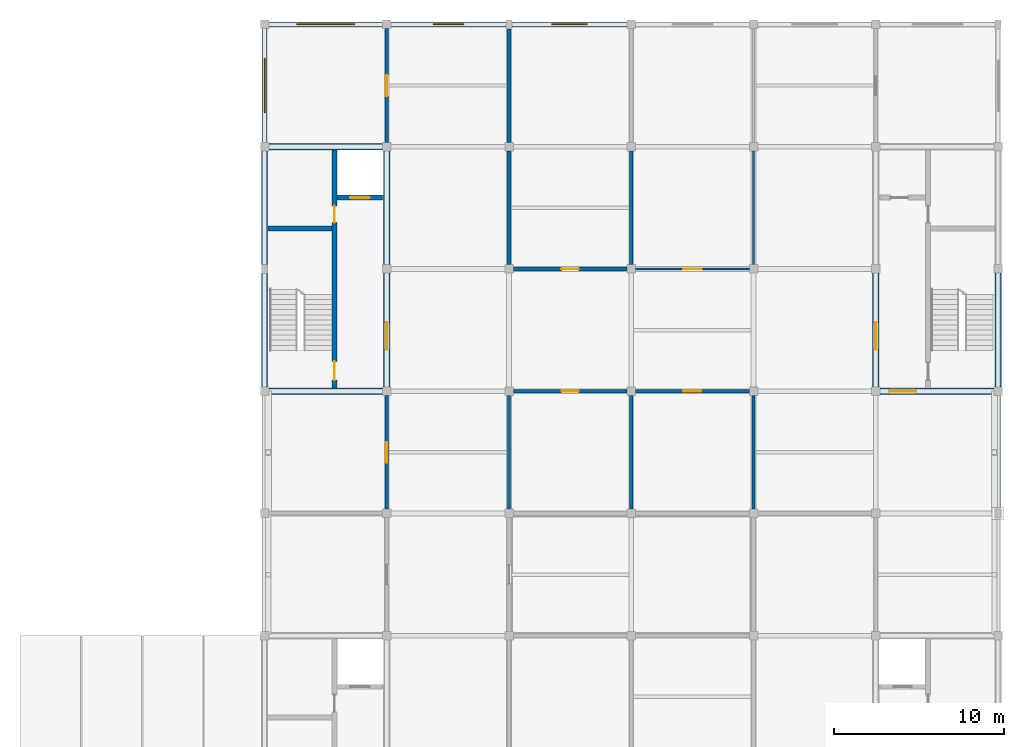
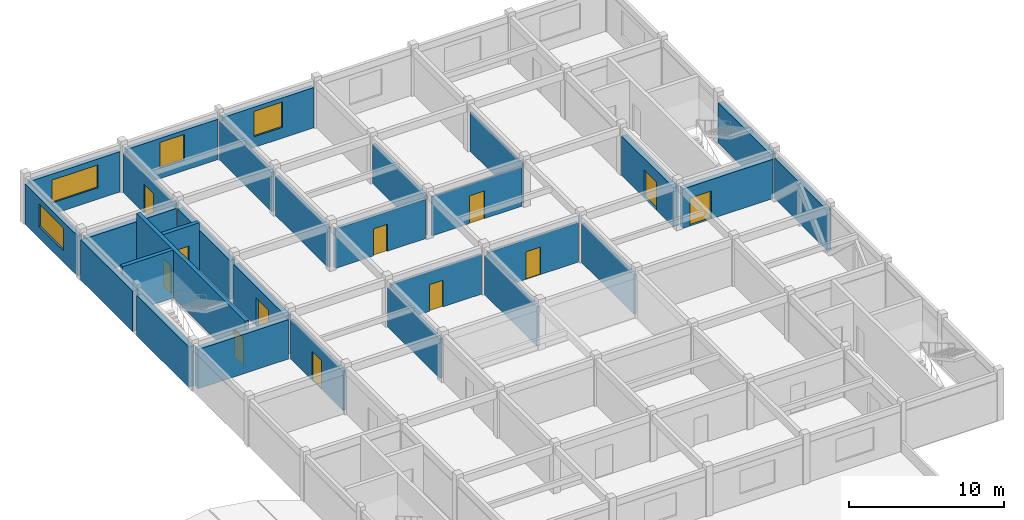
# One storey, part 4 of 6: 30 walls, 12 doors, 4 windows, 16 openings.
"""IFC4 building model written with IfcOpenShell, lengths in metres."""

from ifc_helpers import new_model, si_unit, direction, frame, frame_2d, origin, place, context, subcontext, project, spatial, rectangle, extrude, material, layer, layer_set, type_object, element, fill, save


model = new_model("IFC4")

# Units and contexts
model_context = context("Model", 3, precision=1e-05, world=origin(), true_north=direction((0.0, 1.0)))
body_context = subcontext(model_context, "Body", "Model", "MODEL_VIEW")
ifc_project = project(units=[si_unit("LENGTHUNIT", "METRE"), si_unit("AREAUNIT", "SQUARE_METRE"), si_unit("VOLUMEUNIT", "CUBIC_METRE"), si_unit("PLANEANGLEUNIT", "RADIAN"), si_unit("MASSUNIT", "GRAM", prefix="KILO")], contexts=[model_context])

# Site, building, storey
site_placement = place(None, origin())
site = spatial("IfcSite", under=ifc_project, at=site_placement, CompositionType="ELEMENT")
building_placement = place(site_placement, origin())
building = spatial("IfcBuilding", under=site, at=building_placement, Name="Cendaluz Park School", CompositionType="ELEMENT")
storey_placement = place(building_placement, frame((0.0, 0.0, 55.0)))
storey = spatial("IfcBuildingStorey", under=building, at=storey_placement, Name="L13", CompositionType="ELEMENT", Elevation=55.0)

# Wall, opening, door
ifc_material_1 = material(Name="Gypsum Plasterboard on Cold-Formed Stud", Category="gypsum")
ifc_layer_1 = layer(ifc_material_1, 0.199951171875)
ifc_layer_set_1 = layer_set([ifc_layer_1], Name="Gypsum Plasterboard on Cold-Formed Stud")
wall_type_1 = type_object("IfcWallType", Name="W-AC20", PredefinedType="PARTITIONING", material=ifc_layer_set_1)
wall_1_placement = place(storey_placement, frame((72.0, 36.25, 0.0), z_axis=(0.0, 0.0, 1.0), x_axis=(0.0, 1.0, 0.0)))
wall_1 = element("IfcWall", 1, at=wall_1_placement, inside=storey, type_object=wall_type_1, Name="WL-FN-BL1", PredefinedType="PARTITIONING", context=body_context, shape_type="SweptSolid", body=[
    extrude(rectangle(XDim=6.699951171875, YDim=0.199951171875, at=frame_2d((3.35009765625, 0.0))), origin(), (0.0, 0.0, 1.0), 3.090087890625),
])
opening_1_placement = place(wall_1_placement, frame((2.75, 0.0, 0.0)))
opening_1 = element("IfcOpeningElement", 2, at=opening_1_placement, cuts=wall_1, Name="Opening DCL-08", PredefinedType="OPENING", context=body_context, shape_type="SweptSolid", body=[
    extrude(rectangle(XDim=1.199951171875, YDim=2.239990234375, at=frame_2d((0.60009765625, 1.1201171875))), frame((0.0, 0.112060546875, 0.0), z_axis=(0.0, -1.0, 0.0), x_axis=(1.0, 0.0, 0.0)), (0.0, 0.0, 1.0), 0.223876953125),
])
ifc_material_2 = material(Name="Solid Core Hardwood", Category="wood")
door_type_1 = type_object("IfcDoorType", Name="DCL-08", OperationType="NOTDEFINED", PredefinedType="DOOR", material=ifc_material_2)
door_1_placement = place(opening_1_placement, origin())
door_1 = element("IfcDoor", 3, at=door_1_placement, inside=storey, type_object=door_type_1, Name="D-L13-021", OperationType="SINGLE_SWING_RIGHT", OverallHeight=2.239990234375, OverallWidth=1.199951171875, PredefinedType="DOOR", context=body_context, shape_type="SweptSolid", body=[
    extrude(rectangle(XDim=1.199951171875, YDim=2.239990234375, at=frame_2d((0.60009765625, 1.1201171875))), frame((0.0, 0.02490234375, 0.0), z_axis=(0.0, -1.0, 0.0), x_axis=(1.0, 0.0, 0.0)), (0.0, 0.0, 1.0), 0.050048828125),
])
fill(opening_1, door_1)

wall_2_placement = place(storey_placement, frame((72.0, 57.85009765625, 0.0), z_axis=(0.0, 0.0, 1.0), x_axis=(0.0, 1.0, 0.0)))
wall_2 = element("IfcWall", 4, at=wall_2_placement, inside=storey, type_object=wall_type_1, Name="WL-FN-BL2", PredefinedType="PARTITIONING", context=body_context, shape_type="SweptSolid", body=[
    extrude(rectangle(XDim=6.699951171875, YDim=0.199951171875, at=frame_2d((3.35009765625, 0.0))), origin(), (0.0, 0.0, 1.0), 3.090087890625),
])
opening_2_placement = place(wall_2_placement, frame((2.72998046875, 0.0, 0.0)))
opening_2 = element("IfcOpeningElement", 5, at=opening_2_placement, cuts=wall_2, Name="Opening DCL-09", PredefinedType="OPENING", context=body_context, shape_type="SweptSolid", body=[
    extrude(rectangle(XDim=1.239990234375, YDim=2.260009765625, at=frame_2d((0.6201171875, 1.1298828125))), frame((0.0, 0.112060546875, 0.0), z_axis=(0.0, -1.0, 0.0), x_axis=(1.0, 0.0, 0.0)), (0.0, 0.0, 1.0), 0.223876953125),
])
door_type_2 = type_object("IfcDoorType", Name="DCL-09", OperationType="NOTDEFINED", PredefinedType="DOOR", material=ifc_material_2)
door_2_placement = place(opening_2_placement, origin())
door_2 = element("IfcDoor", 6, at=door_2_placement, inside=storey, type_object=door_type_2, Name="D-L13-022", OperationType="SINGLE_SWING_LEFT", OverallHeight=2.260009765625, OverallWidth=1.239990234375, PredefinedType="DOOR", context=body_context, shape_type="SweptSolid", body=[
    extrude(rectangle(XDim=1.239990234375, YDim=2.260009765625, at=frame_2d((0.6201171875, 1.1298828125))), frame((0.0, 0.02490234375, 0.0), z_axis=(0.0, -1.0, 0.0), x_axis=(1.0, 0.0, 0.0)), (0.0, 0.0, 1.0), 0.050048828125),
])
fill(opening_2, door_2)

wall_3_placement = place(storey_placement, frame((79.449951171875, 43.199951171875, 0.0), z_axis=(0.0, 0.0, 1.0), x_axis=(1.0, 0.0, 0.0)))
wall_3 = element("IfcWall", 7, at=wall_3_placement, inside=storey, type_object=wall_type_1, Name="WL-FN-BL6", PredefinedType="PARTITIONING", context=body_context, shape_type="SweptSolid", body=[
    extrude(rectangle(XDim=6.699951171875, YDim=0.199951171875, at=frame_2d((3.35009765625, 0.0))), origin(), (0.0, 0.0, 1.0), 3.090087890625),
])
opening_3_placement = place(wall_3_placement, frame((2.85009765625, 0.0, 0.0)))
opening_3 = element("IfcOpeningElement", 8, at=opening_3_placement, cuts=wall_3, Name="Opening DCL-01", PredefinedType="OPENING", context=body_context, shape_type="SweptSolid", body=[
    extrude(rectangle(XDim=1.0, YDim=2.10009765625, at=frame_2d((0.5, 1.050048828125))), frame((0.0, 0.112060546875, 0.0), z_axis=(0.0, -1.0, 0.0), x_axis=(1.0, 0.0, 0.0)), (0.0, 0.0, 1.0), 0.223876953125),
])
door_type_3 = type_object("IfcDoorType", Name="DCL-01", OperationType="NOTDEFINED", PredefinedType="DOOR", material=ifc_material_2)
door_3_placement = place(opening_3_placement, frame((1.0, 0.0, 0.0), z_axis=(0.0, 0.0, 1.0), x_axis=(-1.0, 0.0, 0.0)))
door_3 = element("IfcDoor", 9, at=door_3_placement, inside=storey, type_object=door_type_3, Name="D-L13-024", OperationType="SINGLE_SWING_LEFT", OverallHeight=2.10009765625, OverallWidth=1.0, PredefinedType="DOOR", context=body_context, shape_type="SweptSolid", body=[
    extrude(rectangle(XDim=1.0, YDim=2.10009765625, at=frame_2d((0.5, 1.050048828125))), frame((0.0, 0.02490234375, 0.0), z_axis=(0.0, -1.0, 0.0), x_axis=(1.0, 0.0, 0.0)), (0.0, 0.0, 1.0), 0.050048828125),
])
fill(opening_3, door_3)

# Walls
for number, where, z_axis, x_axis, name in (
    (10, (79.199951171875, 36.25, 0.0), (0.0, 0.0, 1.0), (0.0, 1.0, 0.0), "WL-FN-BL7"),
    (11, (86.39990234375, 36.25, 0.0), (0.0, 0.0, 1.0), (0.0, 1.0, 0.0), "WL-FN-BL8"),
):
    element("IfcWall", number, at=place(storey_placement, frame(where, z_axis=z_axis, x_axis=x_axis)), inside=storey, type_object=wall_type_1, Name=name, PredefinedType="PARTITIONING", context=body_context, shape_type="SweptSolid", body=[
        extrude(rectangle(XDim=6.699951171875, YDim=0.199951171875, at=frame_2d((3.35009765625, 0.0))), origin(), (0.0, 0.0, 1.0), 3.090087890625),
    ])

# Wall, opening, door
wall_4_placement = place(storey_placement, frame((86.64990234375, 43.199951171875, 0.0), z_axis=(0.0, 0.0, 1.0), x_axis=(1.0, 0.0, 0.0)))
wall_4 = element("IfcWall", 12, at=wall_4_placement, inside=storey, type_object=wall_type_1, Name="WL-FN-BM5", PredefinedType="PARTITIONING", context=body_context, shape_type="SweptSolid", body=[
    extrude(rectangle(XDim=6.7001953125, YDim=0.199951171875, at=frame_2d((3.35009765625, 0.0))), origin(), (0.0, 0.0, 1.0), 3.090087890625),
])
opening_4_placement = place(wall_4_placement, frame((2.820068359375, 0.0, 0.0)))
opening_4 = element("IfcOpeningElement", 13, at=opening_4_placement, cuts=wall_4, Name="Opening DCL-04", PredefinedType="OPENING", context=body_context, shape_type="SweptSolid", body=[
    extrude(rectangle(XDim=1.06005859375, YDim=2.159912109375, at=frame_2d((0.530029296875, 1.080078125))), frame((0.0, 0.112060546875, 0.0), z_axis=(0.0, -1.0, 0.0), x_axis=(1.0, 0.0, 0.0)), (0.0, 0.0, 1.0), 0.223876953125),
])
door_type_4 = type_object("IfcDoorType", Name="DCL-04", OperationType="NOTDEFINED", PredefinedType="DOOR", material=ifc_material_2)
door_4_placement = place(opening_4_placement, frame((1.06005859375, 0.0, 0.0), z_axis=(0.0, 0.0, 1.0), x_axis=(-1.0, 0.0, 0.0)))
door_4 = element("IfcDoor", 14, at=door_4_placement, inside=storey, type_object=door_type_4, Name="D-L13-027", OperationType="SINGLE_SWING_RIGHT", OverallHeight=2.159912109375, OverallWidth=1.06005859375, PredefinedType="DOOR", context=body_context, shape_type="SweptSolid", body=[
    extrude(rectangle(XDim=1.06005859375, YDim=2.159912109375, at=frame_2d((0.530029296875, 1.080078125))), frame((0.0, 0.02490234375, 0.0), z_axis=(0.0, -1.0, 0.0), x_axis=(1.0, 0.0, 0.0)), (0.0, 0.0, 1.0), 0.050048828125),
])
fill(opening_4, door_4)

# Wall
wall_5_placement = place(storey_placement, frame((93.60009765625, 36.25, 0.0), z_axis=(0.0, 0.0, 1.0), x_axis=(0.0, 1.0, 0.0)))
element("IfcWall", 15, at=wall_5_placement, inside=storey, type_object=wall_type_1, Name="WL-FN-BM6", PredefinedType="PARTITIONING", context=body_context, shape_type="SweptSolid", body=[
    extrude(rectangle(XDim=6.699951171875, YDim=0.199951171875, at=frame_2d((3.35009765625, 0.0))), origin(), (0.0, 0.0, 1.0), 3.090087890625),
])

# Wall, opening, window
ifc_material_3 = material(Name="Cross-laminated timber CLT C24", Category="wood")
ifc_layer_2 = layer(ifc_material_3, 0.300048828125)
ifc_layer_set_2 = layer_set([ifc_layer_2], Name="Cross-laminated timber CLT C24")
wall_type_2 = type_object("IfcWallType", Name="W-EX30", PredefinedType="SOLIDWALL", material=ifc_layer_set_2)
wall_6_placement = place(storey_placement, frame((65.050048828125, 64.800048828125, 0.0), z_axis=(0.0, 0.0, 1.0), x_axis=(1.0, 0.0, 0.0)))
wall_6 = element("IfcWall", 16, at=wall_6_placement, inside=storey, type_object=wall_type_2, Name="WL-FN-AA2", PredefinedType="SOLIDWALL", context=body_context, shape_type="SweptSolid", body=[
    extrude(rectangle(XDim=6.699951171875, YDim=0.300048828125, at=frame_2d((3.35009765625, 0.0))), origin(), (0.0, 0.0, 1.0), 3.169921875),
])
opening_5_placement = place(wall_6_placement, frame((1.64990234375, 0.0, 0.89990234375)))
opening_5 = element("IfcOpeningElement", 17, at=opening_5_placement, cuts=wall_6, Name="Opening WN-09", PredefinedType="OPENING", context=body_context, shape_type="SweptSolid", body=[
    extrude(rectangle(XDim=3.39990234375, YDim=1.800048828125, at=frame_2d((1.699951171875, 0.89990234375))), frame((0.0, 0.162109375, 0.0), z_axis=(0.0, -1.0, 0.0), x_axis=(1.0, 0.0, 0.0)), (0.0, 0.0, 1.0), 0.323974609375),
])
ifc_material_4 = material(Name="Tempered Low-E Double Glazing", Category="glass")
window_type_1 = type_object("IfcWindowType", Name="WN-09", PartitioningType="SINGLE_PANEL", PredefinedType="WINDOW", material=ifc_material_4)
window_1_placement = place(opening_5_placement, origin())
window_1 = element("IfcWindow", 18, at=window_1_placement, inside=storey, type_object=window_type_1, Name="WN-L13-001", OverallHeight=1.800048828125, OverallWidth=3.39990234375, PartitioningType="SINGLE_PANEL", PredefinedType="WINDOW", context=body_context, shape_type="SweptSolid", body=[
    extrude(rectangle(XDim=3.39990234375, YDim=1.800048828125, at=frame_2d((1.699951171875, 0.89990234375))), frame((0.0, 0.030029296875, 0.0), z_axis=(0.0, -1.0, 0.0), x_axis=(1.0, 0.0, 0.0)), (0.0, 0.0, 1.0), 0.06005859375),
])
fill(opening_5, window_1)

wall_7_placement = place(storey_placement, frame((64.800048828125, 57.85009765625, 0.0), z_axis=(0.0, 0.0, 1.0), x_axis=(0.0, 1.0, 0.0)))
wall_7 = element("IfcWall", 19, at=wall_7_placement, inside=storey, type_object=wall_type_2, Name="WL-FN-AA3", PredefinedType="SOLIDWALL", context=body_context, shape_type="SweptSolid", body=[
    extrude(rectangle(XDim=6.699951171875, YDim=0.300048828125, at=frame_2d((3.35009765625, 0.0))), origin(), (0.0, 0.0, 1.0), 3.169921875),
])
opening_6_placement = place(wall_7_placement, frame((1.75, 0.0, 0.89990234375)))
opening_6 = element("IfcOpeningElement", 20, at=opening_6_placement, cuts=wall_7, Name="Opening WN-08", PredefinedType="OPENING", context=body_context, shape_type="SweptSolid", body=[
    extrude(rectangle(XDim=3.199951171875, YDim=1.800048828125, at=frame_2d((1.60009765625, 0.89990234375))), frame((0.0, 0.162109375, 0.0), z_axis=(0.0, -1.0, 0.0), x_axis=(1.0, 0.0, 0.0)), (0.0, 0.0, 1.0), 0.323974609375),
])
window_type_2 = type_object("IfcWindowType", Name="WN-08", PartitioningType="SINGLE_PANEL", PredefinedType="WINDOW", material=ifc_material_4)
window_2_placement = place(opening_6_placement, origin())
window_2 = element("IfcWindow", 21, at=window_2_placement, inside=storey, type_object=window_type_2, Name="WN-L13-002", OverallHeight=1.800048828125, OverallWidth=3.199951171875, PartitioningType="SINGLE_PANEL", PredefinedType="WINDOW", context=body_context, shape_type="SweptSolid", body=[
    extrude(rectangle(XDim=3.199951171875, YDim=1.800048828125, at=frame_2d((1.60009765625, 0.89990234375))), frame((0.0, 0.030029296875, 0.0), z_axis=(0.0, -1.0, 0.0), x_axis=(1.0, 0.0, 0.0)), (0.0, 0.0, 1.0), 0.06005859375),
])
fill(opening_6, window_2)

wall_8_placement = place(storey_placement, frame((72.25, 64.800048828125, 0.0), z_axis=(0.0, 0.0, 1.0), x_axis=(1.0, 0.0, 0.0)))
wall_8 = element("IfcWall", 22, at=wall_8_placement, inside=storey, type_object=wall_type_2, Name="WL-FN-AA5", PredefinedType="SOLIDWALL", context=body_context, shape_type="SweptSolid", body=[
    extrude(rectangle(XDim=6.77001953125, YDim=0.300048828125, at=frame_2d((3.385009765625, 0.0))), origin(), (0.0, 0.0, 1.0), 3.169921875),
])
opening_7_placement = place(wall_8_placement, frame((2.485107421875, 0.0, 0.85009765625)))
opening_7 = element("IfcOpeningElement", 23, at=opening_7_placement, cuts=wall_8, Name="Opening WN-10", PredefinedType="OPENING", context=body_context, shape_type="SweptSolid", body=[
    extrude(rectangle(XDim=1.800048828125, YDim=2.0, at=frame_2d((0.89990234375, 1.0))), frame((0.0, 0.162109375, 0.0), z_axis=(0.0, -1.0, 0.0), x_axis=(1.0, 0.0, 0.0)), (0.0, 0.0, 1.0), 0.323974609375),
])
window_type_3 = type_object("IfcWindowType", Name="WN-10", PartitioningType="SINGLE_PANEL", PredefinedType="WINDOW", material=ifc_material_4)
window_3_placement = place(opening_7_placement, origin())
window_3 = element("IfcWindow", 24, at=window_3_placement, inside=storey, type_object=window_type_3, Name="WN-L13-004", OverallHeight=2.0, OverallWidth=1.800048828125, PartitioningType="SINGLE_PANEL", PredefinedType="WINDOW", context=body_context, shape_type="SweptSolid", body=[
    extrude(rectangle(XDim=1.800048828125, YDim=2.0, at=frame_2d((0.89990234375, 1.0))), frame((0.0, 0.030029296875, 0.0), z_axis=(0.0, -1.0, 0.0), x_axis=(1.0, 0.0, 0.0)), (0.0, 0.0, 1.0), 0.06005859375),
])
fill(opening_7, window_3)

wall_9_placement = place(storey_placement, frame((79.3798828125, 64.800048828125, 0.0), z_axis=(0.0, 0.0, 1.0), x_axis=(1.0, 0.0, 0.0)))
wall_9 = element("IfcWall", 25, at=wall_9_placement, inside=storey, type_object=wall_type_2, Name="WL-FN-AA7", PredefinedType="SOLIDWALL", context=body_context, shape_type="SweptSolid", body=[
    extrude(rectangle(XDim=6.77001953125, YDim=0.300048828125, at=frame_2d((3.385009765625, 0.0))), origin(), (0.0, 0.0, 1.0), 3.169921875),
])
opening_8_placement = place(wall_9_placement, frame((2.3349609375, 0.0, 0.85009765625)))
opening_8 = element("IfcOpeningElement", 26, at=opening_8_placement, cuts=wall_9, Name="Opening WN-11", PredefinedType="OPENING", context=body_context, shape_type="SweptSolid", body=[
    extrude(rectangle(XDim=2.10009765625, YDim=2.0, at=frame_2d((1.050048828125, 1.0))), frame((0.0, 0.162109375, 0.0), z_axis=(0.0, -1.0, 0.0), x_axis=(1.0, 0.0, 0.0)), (0.0, 0.0, 1.0), 0.323974609375),
])
window_type_4 = type_object("IfcWindowType", Name="WN-11", PartitioningType="SINGLE_PANEL", PredefinedType="WINDOW", material=ifc_material_4)
window_4_placement = place(opening_8_placement, origin())
window_4 = element("IfcWindow", 27, at=window_4_placement, inside=storey, type_object=window_type_4, Name="WN-L13-006", OverallHeight=2.0, OverallWidth=2.10009765625, PartitioningType="SINGLE_PANEL", PredefinedType="WINDOW", context=body_context, shape_type="SweptSolid", body=[
    extrude(rectangle(XDim=2.10009765625, YDim=2.0, at=frame_2d((1.050048828125, 1.0))), frame((0.0, 0.030029296875, 0.0), z_axis=(0.0, -1.0, 0.0), x_axis=(1.0, 0.0, 0.0)), (0.0, 0.0, 1.0), 0.06005859375),
])
fill(opening_8, window_4)

# Wall
wall_10_placement = place(storey_placement, frame((108.0, 36.260009765625, 0.0), z_axis=(0.0, 0.0, 1.0), x_axis=(0.0, 1.0, 0.0)))
element("IfcWall", 28, at=wall_10_placement, inside=storey, type_object=wall_type_2, Name="WL-FN-AB3", PredefinedType="SOLIDWALL", context=body_context, shape_type="SweptSolid", body=[
    extrude(rectangle(XDim=6.68994140625, YDim=0.300048828125, at=frame_2d((3.344970703125, 0.0))), origin(), (0.0, 0.0, 1.0), 3.169921875),
])

# Wall, openings, doors
ifc_material_5 = material(Name="Concrete C40/50", Category="concrete")
ifc_layer_3 = layer(ifc_material_5, 0.280029296875)
ifc_layer_set_3 = layer_set([ifc_layer_3], Name="Concrete C40/50")
wall_type_3 = type_object("IfcWallType", Name="W-FW28", PredefinedType="SHEAR", material=ifc_layer_set_3)
wall_11_placement = place(storey_placement, frame((68.919921875, 43.39990234375, 0.0), z_axis=(0.0, 0.0, 1.0), x_axis=(0.0, 1.0, 0.0)))
wall_11 = element("IfcWall", 29, at=wall_11_placement, inside=storey, type_object=wall_type_3, Name="WL-FN-BI7", PredefinedType="SHEAR", context=body_context, shape_type="SweptSolid", body=[
    extrude(rectangle(XDim=14.0, YDim=0.280029296875, at=frame_2d((7.0, 0.0))), origin(), (0.0, 0.0, 1.0), 3.77001953125),
])
opening_9_placement = place(wall_11_placement, frame((0.449951171875, 0.0, 0.0)))
opening_9 = element("IfcOpeningElement", 30, at=opening_9_placement, cuts=wall_11, Name="Opening DST-01", PredefinedType="OPENING", context=body_context, shape_type="SweptSolid", body=[
    extrude(rectangle(XDim=1.10009765625, YDim=2.14990234375, at=frame_2d((0.550048828125, 1.074951171875))), frame((0.0, 0.152099609375, 0.0), z_axis=(0.0, -1.0, 0.0), x_axis=(1.0, 0.0, 0.0)), (0.0, 0.0, 1.0), 0.303955078125),
])
opening_10_placement = place(wall_11_placement, frame((9.719970703125, 0.0, 0.0)))
opening_10 = element("IfcOpeningElement", 31, at=opening_10_placement, cuts=wall_11, Name="Opening DFC-01", PredefinedType="OPENING", context=body_context, shape_type="SweptSolid", body=[
    extrude(rectangle(XDim=1.0, YDim=2.14990234375, at=frame_2d((0.5, 1.074951171875))), frame((0.0, 0.152099609375, 0.0), z_axis=(0.0, -1.0, 0.0), x_axis=(1.0, 0.0, 0.0)), (0.0, 0.0, 1.0), 0.303955078125),
])
door_type_5 = type_object("IfcDoorType", Name="DFC-01", OperationType="NOTDEFINED", PredefinedType="DOOR", material=ifc_material_2)
door_5_placement = place(opening_10_placement, origin())
door_5 = element("IfcDoor", 32, at=door_5_placement, inside=storey, type_object=door_type_5, Name="D-L13-011", OperationType="SINGLE_SWING_LEFT", OverallHeight=2.14990234375, OverallWidth=1.0, PredefinedType="DOOR", context=body_context, shape_type="SweptSolid", body=[
    extrude(rectangle(XDim=1.0, YDim=2.14990234375, at=frame_2d((0.5, 1.074951171875))), frame((0.0, 0.02490234375, 0.0), z_axis=(0.0, -1.0, 0.0), x_axis=(1.0, 0.0, 0.0)), (0.0, 0.0, 1.0), 0.050048828125),
])
fill(opening_10, door_5)
door_type_6 = type_object("IfcDoorType", Name="DST-01", OperationType="NOTDEFINED", PredefinedType="DOOR", material=ifc_material_2)
door_6_placement = place(opening_9_placement, origin())
door_6 = element("IfcDoor", 33, at=door_6_placement, inside=storey, type_object=door_type_6, Name="D-L13-010", OperationType="SINGLE_SWING_LEFT", OverallHeight=2.14990234375, OverallWidth=1.10009765625, PredefinedType="DOOR", context=body_context, shape_type="SweptSolid", body=[
    extrude(rectangle(XDim=1.10009765625, YDim=2.14990234375, at=frame_2d((0.550048828125, 1.074951171875))), frame((0.0, 0.02490234375, 0.0), z_axis=(0.0, -1.0, 0.0), x_axis=(1.0, 0.0, 0.0)), (0.0, 0.0, 1.0), 0.050048828125),
])
fill(opening_9, door_6)

# Wall
wall_12_placement = place(storey_placement, frame((65.0, 52.780029296875, 0.0), z_axis=(0.0, 0.0, 1.0), x_axis=(1.0, 0.0, 0.0)))
element("IfcWall", 34, at=wall_12_placement, inside=storey, type_object=wall_type_3, Name="WL-FN-BI8", PredefinedType="SHEAR", context=body_context, shape_type="SweptSolid", body=[
    extrude(rectangle(XDim=3.780029296875, YDim=0.280029296875, at=frame_2d((1.89013671875, 0.0))), origin(), (0.0, 0.0, 1.0), 3.77001953125),
])

# Wall, opening, door
wall_13_placement = place(storey_placement, frame((69.080078125, 54.60009765625, 0.0), z_axis=(0.0, 0.0, 1.0), x_axis=(1.0, 0.0, 0.0)))
wall_13 = element("IfcWall", 35, at=wall_13_placement, inside=storey, type_object=wall_type_3, Name="WL-FN-BI9", PredefinedType="SHEAR", context=body_context, shape_type="SweptSolid", body=[
    extrude(rectangle(XDim=2.679931640625, YDim=0.280029296875, at=frame_2d((1.33984375, 0.0))), origin(), (0.0, 0.0, 1.0), 3.77001953125),
])
opening_11_placement = place(wall_13_placement, frame((0.764892578125, 0.0, 0.0)))
opening_11 = element("IfcOpeningElement", 36, at=opening_11_placement, cuts=wall_13, Name="Opening LD-01", PredefinedType="OPENING", context=body_context, shape_type="SweptSolid", body=[
    extrude(rectangle(XDim=1.14990234375, YDim=2.199951171875, at=frame_2d((0.574951171875, 1.10009765625))), frame((0.0, 0.152099609375, 0.0), z_axis=(0.0, -1.0, 0.0), x_axis=(1.0, 0.0, 0.0)), (0.0, 0.0, 1.0), 0.303955078125),
])
ifc_material_6 = material(Name="Stainless Steel 316L", Category="steel")
door_type_7 = type_object("IfcDoorType", Name="LD-01", OperationType="DOUBLE_DOOR_SLIDING", PredefinedType="DOOR", material=ifc_material_6)
door_7_placement = place(opening_11_placement, frame((1.14990234375, 0.0, 0.0), z_axis=(0.0, 0.0, 1.0), x_axis=(-1.0, 0.0, 0.0)))
door_7 = element("IfcDoor", 37, at=door_7_placement, inside=storey, type_object=door_type_7, Name="D-L13-012", OperationType="DOUBLE_DOOR_SLIDING", OverallHeight=2.199951171875, OverallWidth=1.14990234375, PredefinedType="DOOR", context=body_context, shape_type="SweptSolid", body=[
    extrude(rectangle(XDim=1.14990234375, YDim=2.199951171875, at=frame_2d((0.574951171875, 1.10009765625))), frame((0.0, 0.02490234375, 0.0), z_axis=(0.0, -1.0, 0.0), x_axis=(1.0, 0.0, 0.0)), (0.0, 0.0, 1.0), 0.050048828125),
])
fill(opening_11, door_7)

ifc_layer_4 = layer(ifc_material_1, 0.219970703125)
ifc_layer_set_4 = layer_set([ifc_layer_4], Name="Gypsum Plasterboard on Cold-Formed Stud")
wall_type_4 = type_object("IfcWallType", Name="W-LB22", PredefinedType="PARTITIONING", material=ifc_layer_set_4)
wall_14_placement = place(storey_placement, frame((79.449951171875, 50.39990234375, 0.0), z_axis=(0.0, 0.0, 1.0), x_axis=(1.0, 0.0, 0.0)))
wall_14 = element("IfcWall", 38, at=wall_14_placement, inside=storey, type_object=wall_type_4, Name="WL-FN-BL9", PredefinedType="PARTITIONING", context=body_context, shape_type="SweptSolid", body=[
    extrude(rectangle(XDim=6.699951171875, YDim=0.219970703125, at=frame_2d((3.35009765625, 0.0))), origin(), (0.0, 0.0, 1.0), 3.090087890625),
])
opening_12_placement = place(wall_14_placement, frame((2.840087890625, 0.0, 0.0)))
opening_12 = element("IfcOpeningElement", 39, at=opening_12_placement, cuts=wall_14, Name="Opening DCL-02", PredefinedType="OPENING", context=body_context, shape_type="SweptSolid", body=[
    extrude(rectangle(XDim=1.02001953125, YDim=2.1201171875, at=frame_2d((0.510009765625, 1.06005859375))), frame((0.0, 0.1220703125, 0.0), z_axis=(0.0, -1.0, 0.0), x_axis=(1.0, 0.0, 0.0)), (0.0, 0.0, 1.0), 0.243896484375),
])
door_type_8 = type_object("IfcDoorType", Name="DCL-02", OperationType="NOTDEFINED", PredefinedType="DOOR", material=ifc_material_2)
door_8_placement = place(opening_12_placement, frame((1.02001953125, 0.0, 0.0), z_axis=(0.0, 0.0, 1.0), x_axis=(-1.0, 0.0, 0.0)))
door_8 = element("IfcDoor", 40, at=door_8_placement, inside=storey, type_object=door_type_8, Name="D-L13-025", OperationType="SINGLE_SWING_RIGHT", OverallHeight=2.1201171875, OverallWidth=1.02001953125, PredefinedType="DOOR", context=body_context, shape_type="SweptSolid", body=[
    extrude(rectangle(XDim=1.02001953125, YDim=2.1201171875, at=frame_2d((0.510009765625, 1.06005859375))), frame((0.0, 0.02490234375, 0.0), z_axis=(0.0, -1.0, 0.0), x_axis=(1.0, 0.0, 0.0)), (0.0, 0.0, 1.0), 0.050048828125),
])
fill(opening_12, door_8)

# Walls
for number, where, z_axis, x_axis, name in (
    (41, (79.199951171875, 50.64990234375, 0.0), (0.0, 0.0, 1.0), (0.0, 1.0, 0.0), "WL-FN-BM0"),
    (42, (86.39990234375, 50.64990234375, 0.0), (0.0, 0.0, 1.0), (0.0, 1.0, 0.0), "WL-FN-BM1"),
):
    element("IfcWall", number, at=place(storey_placement, frame(where, z_axis=z_axis, x_axis=x_axis)), inside=storey, type_object=wall_type_4, Name=name, PredefinedType="PARTITIONING", context=body_context, shape_type="SweptSolid", body=[
        extrude(rectangle(XDim=6.7001953125, YDim=0.219970703125, at=frame_2d((3.35009765625, 0.0))), origin(), (0.0, 0.0, 1.0), 3.090087890625),
    ])
wall_15_placement = place(storey_placement, frame((79.199951171875, 57.85009765625, 0.0), z_axis=(0.0, 0.0, 1.0), x_axis=(0.0, 1.0, 0.0)))
element("IfcWall", 43, at=wall_15_placement, inside=storey, type_object=wall_type_4, Name="WL-FN-BM2", PredefinedType="PARTITIONING", context=body_context, shape_type="SweptSolid", body=[
    extrude(rectangle(XDim=6.68994140625, YDim=0.219970703125, at=frame_2d((3.344970703125, 0.0))), origin(), (0.0, 0.0, 1.0), 3.090087890625),
])

# Wall, opening, door
ifc_layer_5 = layer(ifc_material_1, 0.1201171875)
ifc_layer_set_5 = layer_set([ifc_layer_5], Name="Gypsum Plasterboard on Cold-Formed Stud")
wall_type_5 = type_object("IfcWallType", Name="W-MV12", PredefinedType="MOVABLE", material=ifc_layer_set_5)
wall_16_placement = place(storey_placement, frame((86.64990234375, 50.39990234375, 0.0), z_axis=(0.0, 0.0, 1.0), x_axis=(1.0, 0.0, 0.0)))
wall_16 = element("IfcWall", 44, at=wall_16_placement, inside=storey, type_object=wall_type_5, Name="WL-FN-BM7", PredefinedType="MOVABLE", context=body_context, shape_type="SweptSolid", body=[
    extrude(rectangle(XDim=6.7001953125, YDim=0.1201171875, at=frame_2d((3.35009765625, 0.0))), origin(), (0.0, 0.0, 1.0), 3.090087890625),
])
opening_13_placement = place(wall_16_placement, frame((2.81005859375, 0.0, 0.0)))
opening_13 = element("IfcOpeningElement", 45, at=opening_13_placement, cuts=wall_16, Name="Opening DCL-05", PredefinedType="OPENING", context=body_context, shape_type="SweptSolid", body=[
    extrude(rectangle(XDim=1.080078125, YDim=2.179931640625, at=frame_2d((0.5400390625, 1.08984375))), frame((0.0, 0.072021484375, 0.0), z_axis=(0.0, -1.0, 0.0), x_axis=(1.0, 0.0, 0.0)), (0.0, 0.0, 1.0), 0.14404296875),
])
door_type_9 = type_object("IfcDoorType", Name="DCL-05", OperationType="NOTDEFINED", PredefinedType="DOOR", material=ifc_material_2)
door_9_placement = place(opening_13_placement, origin())
door_9 = element("IfcDoor", 46, at=door_9_placement, inside=storey, type_object=door_type_9, Name="D-L13-028", OperationType="SINGLE_SWING_LEFT", OverallHeight=2.179931640625, OverallWidth=1.080078125, PredefinedType="DOOR", context=body_context, shape_type="SweptSolid", body=[
    extrude(rectangle(XDim=1.080078125, YDim=2.179931640625, at=frame_2d((0.5400390625, 1.08984375))), frame((0.0, 0.02490234375, 0.0), z_axis=(0.0, -1.0, 0.0), x_axis=(1.0, 0.0, 0.0)), (0.0, 0.0, 1.0), 0.050048828125),
])
fill(opening_13, door_9)

# Walls
wall_17_placement = place(storey_placement, frame((93.60009765625, 50.64990234375, 0.0), z_axis=(0.0, 0.0, 1.0), x_axis=(0.0, 1.0, 0.0)))
element("IfcWall", 47, at=wall_17_placement, inside=storey, type_object=wall_type_5, Name="WL-FN-BM8", PredefinedType="MOVABLE", context=body_context, shape_type="SweptSolid", body=[
    extrude(rectangle(XDim=6.7001953125, YDim=0.1201171875, at=frame_2d((3.35009765625, 0.0))), origin(), (0.0, 0.0, 1.0), 3.090087890625),
])
ifc_layer_6 = layer(ifc_material_5, 0.3798828125)
ifc_layer_set_6 = layer_set([ifc_layer_6], Name="Concrete C40/50")
wall_type_6 = type_object("IfcWallType", Name="W-SH38", PredefinedType="SHEAR", material=ifc_layer_set_6)
wall_18_placement = place(storey_placement, frame((64.800048828125, 43.449951171875, 0.0), z_axis=(0.0, 0.0, 1.0), x_axis=(0.0, 1.0, 0.0)))
element("IfcWall", 48, at=wall_18_placement, inside=storey, type_object=wall_type_6, Name="WL-FN-BI1", PredefinedType="SHEAR", context=body_context, shape_type="SweptSolid", body=[
    extrude(rectangle(XDim=6.68994140625, YDim=0.3798828125, at=frame_2d((3.344970703125, 0.0))), origin(), (0.0, 0.0, 1.0), 3.169921875),
])
wall_19_placement = place(storey_placement, frame((64.800048828125, 50.659912109375, 0.0), z_axis=(0.0, 0.0, 1.0), x_axis=(0.0, 1.0, 0.0)))
element("IfcWall", 49, at=wall_19_placement, inside=storey, type_object=wall_type_6, Name="WL-FN-BI2", PredefinedType="SHEAR", context=body_context, shape_type="SweptSolid", body=[
    extrude(rectangle(XDim=6.690185546875, YDim=0.3798828125, at=frame_2d((3.34521484375, 0.0))), origin(), (0.0, 0.0, 1.0), 3.169921875),
])

# Wall, opening, door
wall_20_placement = place(storey_placement, frame((72.0, 43.449951171875, 0.0), z_axis=(0.0, 0.0, 1.0), x_axis=(0.0, 1.0, 0.0)))
wall_20 = element("IfcWall", 50, at=wall_20_placement, inside=storey, type_object=wall_type_6, Name="WL-FN-BI3", PredefinedType="SHEAR", context=body_context, shape_type="SweptSolid", body=[
    extrude(rectangle(XDim=6.699951171875, YDim=0.3798828125, at=frame_2d((3.35009765625, 0.0))), origin(), (0.0, 0.0, 1.0), 3.090087890625),
])
opening_14_placement = place(wall_20_placement, frame((2.199951171875, 0.0, 0.0)))
opening_14 = element("IfcOpeningElement", 51, at=opening_14_placement, cuts=wall_20, Name="Opening DLB-01", PredefinedType="OPENING", context=body_context, shape_type="SweptSolid", body=[
    extrude(rectangle(XDim=1.60009765625, YDim=2.199951171875, at=frame_2d((0.800048828125, 1.10009765625))), frame((0.0, 0.201904296875, 0.0), z_axis=(0.0, -1.0, 0.0), x_axis=(1.0, 0.0, 0.0)), (0.0, 0.0, 1.0), 0.40380859375),
])
door_type_10 = type_object("IfcDoorType", Name="DLB-01", OperationType="DOUBLE_DOOR_SINGLE_SWING", PredefinedType="DOOR", material=ifc_material_2)
door_10_placement = place(opening_14_placement, origin())
door_10 = element("IfcDoor", 52, at=door_10_placement, inside=storey, type_object=door_type_10, Name="D-L13-009", OperationType="DOUBLE_DOOR_SINGLE_SWING", OverallHeight=2.199951171875, OverallWidth=1.60009765625, PredefinedType="DOOR", context=body_context, shape_type="SweptSolid", body=[
    extrude(rectangle(XDim=1.60009765625, YDim=2.199951171875, at=frame_2d((0.800048828125, 1.10009765625))), frame((0.0, 0.02490234375, 0.0), z_axis=(0.0, -1.0, 0.0), x_axis=(1.0, 0.0, 0.0)), (0.0, 0.0, 1.0), 0.050048828125),
])
fill(opening_14, door_10)

# Walls
wall_21_placement = place(storey_placement, frame((72.0, 50.64990234375, 0.0), z_axis=(0.0, 0.0, 1.0), x_axis=(0.0, 1.0, 0.0)))
element("IfcWall", 53, at=wall_21_placement, inside=storey, type_object=wall_type_6, Name="WL-FN-BI4", PredefinedType="SHEAR", context=body_context, shape_type="SweptSolid", body=[
    extrude(rectangle(XDim=6.7001953125, YDim=0.3798828125, at=frame_2d((3.35009765625, 0.0))), origin(), (0.0, 0.0, 1.0), 3.090087890625),
])
for number, where, z_axis, x_axis, name in (
    (54, (65.050048828125, 43.199951171875, 0.0), (0.0, 0.0, 1.0), (1.0, 0.0, 0.0), "WL-FN-BI5"),
    (55, (65.050048828125, 57.60009765625, 0.0), (0.0, 0.0, 1.0), (1.0, 0.0, 0.0), "WL-FN-BI6"),
):
    element("IfcWall", number, at=place(storey_placement, frame(where, z_axis=z_axis, x_axis=x_axis)), inside=storey, type_object=wall_type_6, Name=name, PredefinedType="SHEAR", context=body_context, shape_type="SweptSolid", body=[
        extrude(rectangle(XDim=6.699951171875, YDim=0.3798828125, at=frame_2d((3.35009765625, 0.0))), origin(), (0.0, 0.0, 1.0), 3.090087890625),
    ])

# Wall, opening, door
wall_22_placement = place(storey_placement, frame((100.800048828125, 43.449951171875, 0.0), z_axis=(0.0, 0.0, 1.0), x_axis=(0.0, 1.0, 0.0)))
wall_22 = element("IfcWall", 56, at=wall_22_placement, inside=storey, type_object=wall_type_6, Name="WL-FN-BJ0", PredefinedType="SHEAR", context=body_context, shape_type="SweptSolid", body=[
    extrude(rectangle(XDim=6.699951171875, YDim=0.3798828125, at=frame_2d((3.35009765625, 0.0))), origin(), (0.0, 0.0, 1.0), 3.090087890625),
])
opening_15_placement = place(wall_22_placement, frame((2.199951171875, 0.0, 0.0)))
opening_15 = element("IfcOpeningElement", 57, at=opening_15_placement, cuts=wall_22, Name="Opening DLB-01", PredefinedType="OPENING", context=body_context, shape_type="SweptSolid", body=[
    extrude(rectangle(XDim=1.60009765625, YDim=2.199951171875, at=frame_2d((0.800048828125, 1.10009765625))), frame((0.0, 0.201904296875, 0.0), z_axis=(0.0, -1.0, 0.0), x_axis=(1.0, 0.0, 0.0)), (0.0, 0.0, 1.0), 0.40380859375),
])
door_11_placement = place(opening_15_placement, frame((1.60009765625, 0.0, 0.0), z_axis=(0.0, 0.0, 1.0), x_axis=(-1.0, 0.0, 0.0)))
door_11 = element("IfcDoor", 58, at=door_11_placement, inside=storey, type_object=door_type_10, Name="D-L13-013", OperationType="DOUBLE_DOOR_SINGLE_SWING", OverallHeight=2.199951171875, OverallWidth=1.60009765625, PredefinedType="DOOR", context=body_context, shape_type="SweptSolid", body=[
    extrude(rectangle(XDim=1.60009765625, YDim=2.199951171875, at=frame_2d((0.800048828125, 1.10009765625))), frame((0.0, 0.02490234375, 0.0), z_axis=(0.0, -1.0, 0.0), x_axis=(1.0, 0.0, 0.0)), (0.0, 0.0, 1.0), 0.050048828125),
])
fill(opening_15, door_11)

# Wall
wall_23_placement = place(storey_placement, frame((108.0, 43.449951171875, 0.0), z_axis=(0.0, 0.0, 1.0), x_axis=(0.0, 1.0, 0.0)))
element("IfcWall", 59, at=wall_23_placement, inside=storey, type_object=wall_type_6, Name="WL-FN-BJ2", PredefinedType="SHEAR", context=body_context, shape_type="SweptSolid", body=[
    extrude(rectangle(XDim=6.699951171875, YDim=0.3798828125, at=frame_2d((3.35009765625, 0.0))), origin(), (0.0, 0.0, 1.0), 3.169921875),
])

# Wall, opening, door
wall_24_placement = place(storey_placement, frame((101.050048828125, 43.199951171875, 0.0), z_axis=(0.0, 0.0, 1.0), x_axis=(1.0, 0.0, 0.0)))
wall_24 = element("IfcWall", 60, at=wall_24_placement, inside=storey, type_object=wall_type_6, Name="WL-FN-BJ4", PredefinedType="SHEAR", context=body_context, shape_type="SweptSolid", body=[
    extrude(rectangle(XDim=6.699951171875, YDim=0.3798828125, at=frame_2d((3.35009765625, 0.0))), origin(), (0.0, 0.0, 1.0), 3.090087890625),
])
opening_16_placement = place(wall_24_placement, frame((0.530029296875, 0.0, 0.0)))
opening_16 = element("IfcOpeningElement", 61, at=opening_16_placement, cuts=wall_24, Name="Opening DLB-01", PredefinedType="OPENING", context=body_context, shape_type="SweptSolid", body=[
    extrude(rectangle(XDim=1.60009765625, YDim=2.199951171875, at=frame_2d((0.800048828125, 1.10009765625))), frame((0.0, 0.201904296875, 0.0), z_axis=(0.0, -1.0, 0.0), x_axis=(1.0, 0.0, 0.0)), (0.0, 0.0, 1.0), 0.40380859375),
])
door_12_placement = place(opening_16_placement, origin())
door_12 = element("IfcDoor", 62, at=door_12_placement, inside=storey, type_object=door_type_10, Name="D-L13-014", OperationType="DOUBLE_DOOR_SINGLE_SWING", OverallHeight=2.199951171875, OverallWidth=1.60009765625, PredefinedType="DOOR", context=body_context, shape_type="SweptSolid", body=[
    extrude(rectangle(XDim=1.60009765625, YDim=2.199951171875, at=frame_2d((0.800048828125, 1.10009765625))), frame((0.0, 0.02490234375, 0.0), z_axis=(0.0, -1.0, 0.0), x_axis=(1.0, 0.0, 0.0)), (0.0, 0.0, 1.0), 0.050048828125),
])
fill(opening_16, door_12)

save(model, "model.ifc")
